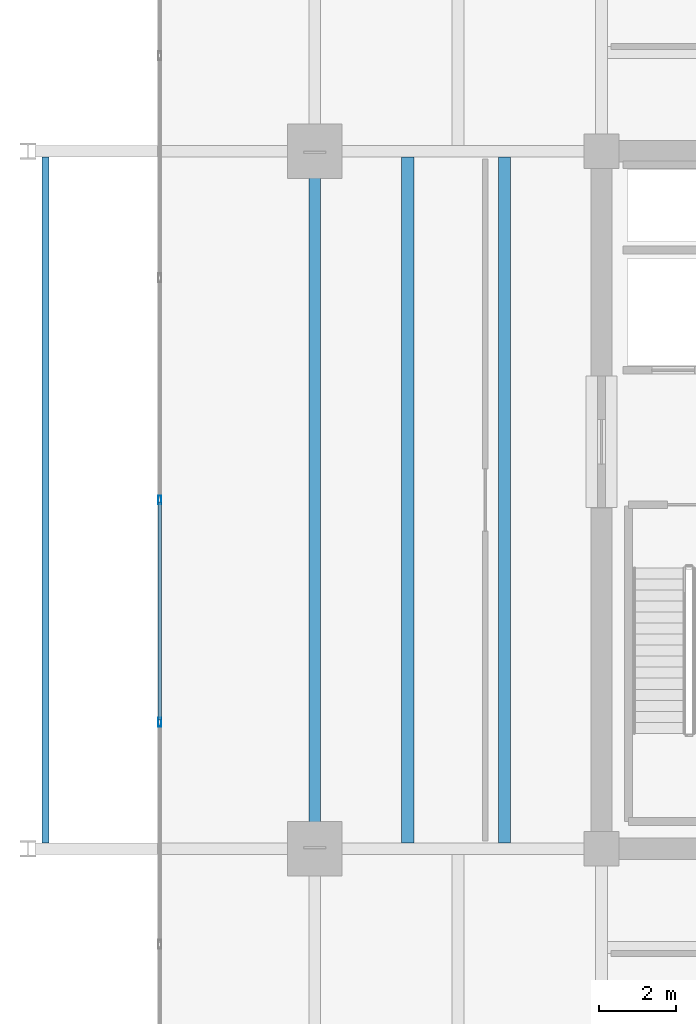
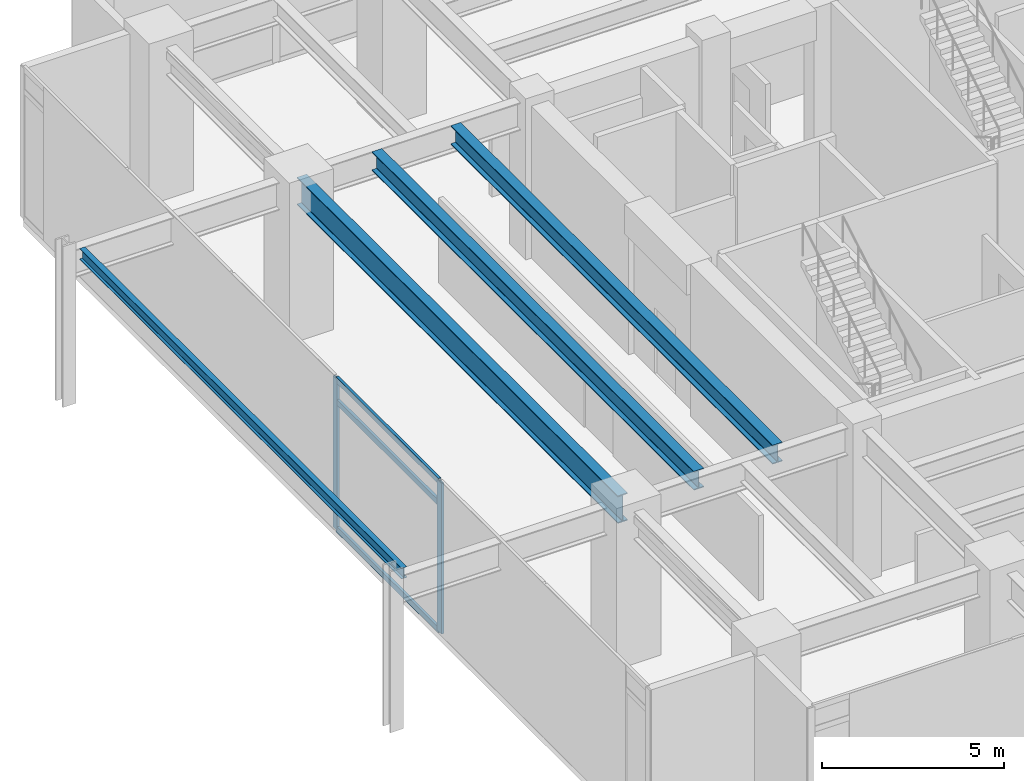
# One storey, part 6 of 24: 5 members, 4 beams, 1 element without a shape of its own.
"""IFC4 building model written with IfcOpenShell, lengths in metres."""

from ifc_helpers import new_model, si_unit, direction, frame, origin, origin_2d, place, context, subcontext, project, spatial, hollow_rectangle, i_section, extrude, material, material_profile, profile_set, type_object, element, aggregate, save


model = new_model("IFC4")

# Units and contexts
model_context = context("Model", 3, precision=1e-05, world=origin(), true_north=direction((0.0, 1.0)))
body_context = subcontext(model_context, "Body", "Model", "MODEL_VIEW")
ifc_project = project(units=[si_unit("LENGTHUNIT", "METRE"), si_unit("AREAUNIT", "SQUARE_METRE"), si_unit("VOLUMEUNIT", "CUBIC_METRE"), si_unit("PLANEANGLEUNIT", "RADIAN"), si_unit("MASSUNIT", "GRAM", prefix="KILO")], contexts=[model_context])

# Site, building, storey
site_placement = place(None, origin())
site = spatial("IfcSite", under=ifc_project, at=site_placement, CompositionType="ELEMENT")
building_placement = place(site_placement, origin())
building = spatial("IfcBuilding", under=site, at=building_placement, Name="Kovane Verandah Tower", CompositionType="ELEMENT")
storey_placement = place(building_placement, frame((0.0, 0.0, 194.800048828125)))
storey = spatial("IfcBuildingStorey", under=building, at=storey_placement, Name="L45", CompositionType="ELEMENT", Elevation=194.800048828125)

# Beams
ifc_material_1 = material(Name="Steel S460", Category="steel")
ifc_material_profile_1 = material_profile(ifc_material_1, i_section(OverallWidth=0.311279296875, OverallDepth=0.6357421875, WebThickness=0.018310546875, FlangeThickness=0.031494140625, FilletRadius=0.0166015625, at=origin_2d()), Name="UB610x305x238")
ifc_profile_set_1 = profile_set([ifc_material_profile_1], Name="Steel S460")
beam_type_1 = type_object("IfcBeamType", Name="BM-UB610x238", PredefinedType="BEAM", material=ifc_profile_set_1)
for number, where, z_axis, x_axis, name in (
    (1, (24.0, 18.65185546875, 4.781982421875), (0.0, 1.0, 0.0), (-1.0, 0.0, 0.0), "L45 Secondary Composite Joist J-W1"),
    (2, (26.5, 18.65185546875, 4.781982421875), (0.0, 1.0, 0.0), (-1.0, 0.0, 0.0), "L45 Secondary Composite Joist J-W2"),
):
    element("IfcBeam", number, at=place(storey_placement, frame(where, z_axis=z_axis, x_axis=x_axis)), inside=storey, type_object=beam_type_1, Name=name, PredefinedType="BEAM", context=body_context, shape_type="SweptSolid", body=[
        extrude(i_section(OverallWidth=0.311279296875, OverallDepth=0.6357421875, WebThickness=0.018310546875, FlangeThickness=0.031494140625, FilletRadius=0.0166015625, at=origin_2d()), origin(), (0.0, 0.0, 1.0), 17.6962890625),
    ])
ifc_material_profile_2 = material_profile(ifc_material_1, i_section(OverallWidth=0.3076171875, OverallDepth=0.926513671875, WebThickness=0.01953125, FlangeThickness=0.031982421875, FilletRadius=0.01904296875, at=origin_2d()), Name="UB914x305x289")
ifc_profile_set_2 = profile_set([ifc_material_profile_2], Name="Steel S460")
beam_type_2 = type_object("IfcBeamType", Name="BM-UB914x289", PredefinedType="BEAM", material=ifc_profile_set_2)
beam_1_placement = place(storey_placement, frame((21.60009765625, 18.679931640625, 4.63671875), z_axis=(0.0, 1.0, 0.0), x_axis=(-1.0, 0.0, 0.0)))
element("IfcBeam", 3, at=beam_1_placement, inside=storey, type_object=beam_type_2, Name="L45 Primary Tower Girder G-RW2", PredefinedType="BEAM", context=body_context, shape_type="SweptSolid", body=[
    extrude(i_section(OverallWidth=0.3076171875, OverallDepth=0.926513671875, WebThickness=0.01953125, FlangeThickness=0.031982421875, FilletRadius=0.01904296875, at=origin_2d()), origin(), (0.0, 0.0, 1.0), 17.64013671875),
])

# Curtain wall, members
ifc_material_2 = material(Name="Champagne Anodised Aluminium Frame with Low-E Clear Laminated Glass", Category="aluminium")
curtain_wall_type = type_object("IfcCurtainWallType", Name="CW-SYS-04-WAIST", PredefinedType="NOTDEFINED", material=ifc_material_2)
curtain_wall_placement = place(storey_placement, origin())
curtain_wall = element("IfcCurtainWall", 4, at=curtain_wall_placement, inside=storey, type_object=curtain_wall_type, Name="L45 W Unitised Curtain Wall", PredefinedType="NOTDEFINED")
ifc_material_3 = material(Name="Champagne Anodised Aluminium 6063-T6", Category="aluminium")
ifc_material_profile_3 = material_profile(ifc_material_3, hollow_rectangle(XDim=0.0849609375, YDim=0.22998046875, WallThickness=0.00390625, at=origin_2d()), Name="AL85x230x4")
ifc_profile_set_3 = profile_set([ifc_material_profile_3], Name="Champagne Anodised Aluminium 6063-T6")
member_type_1 = type_object("IfcMemberType", Name="CW-MUL-85x230", PredefinedType="MULLION", material=ifc_profile_set_3)
member_1_placement = place(storey_placement, frame((17.60009765625, 27.5, 0.02001953125), z_axis=(0.0, 0.0, 1.0), x_axis=(-1.0, 0.0, 0.0)))
member_1 = element("IfcMember", 5, at=member_1_placement, type_object=member_type_1, Name="L45 W Unitised Curtain Wall Mullion 4", PredefinedType="MULLION", context=body_context, shape_type="SweptSolid", body=[
    extrude(hollow_rectangle(XDim=0.0849609375, YDim=0.22998046875, WallThickness=0.00390625, at=origin_2d()), origin(), (0.0, 0.0, 1.0), 5.059814453125),
])
member_2_placement = place(storey_placement, frame((17.60009765625, 21.7666015625, 0.02001953125), z_axis=(0.0, 0.0, 1.0), x_axis=(-1.0, 0.0, 0.0)))
member_2 = element("IfcMember", 6, at=member_2_placement, type_object=member_type_1, Name="L45 W Unitised Curtain Wall Mullion 5", PredefinedType="MULLION", context=body_context, shape_type="SweptSolid", body=[
    extrude(hollow_rectangle(XDim=0.0849609375, YDim=0.22998046875, WallThickness=0.00390625, at=origin_2d()), origin(), (0.0, 0.0, 1.0), 5.059814453125),
])
ifc_material_profile_4 = material_profile(ifc_material_3, hollow_rectangle(XDim=0.0849609375, YDim=0.18994140625, WallThickness=0.00390625, at=origin_2d()), Name="AL85x190x4")
ifc_profile_set_4 = profile_set([ifc_material_profile_4], Name="Champagne Anodised Aluminium 6063-T6")
member_type_2 = type_object("IfcMemberType", Name="CW-TRN-85x190", PredefinedType="USERDEFINED", material=ifc_profile_set_4)
member_3_placement = place(storey_placement, frame((17.60009765625, 27.449951171875, 0.050048828125), z_axis=(0.0, -1.0, 0.0), x_axis=(1.0, 0.0, 0.0)))
member_3 = element("IfcMember", 7, at=member_3_placement, type_object=member_type_2, Name="L45 W Unitised Curtain Wall Transom TB Bay 4", ObjectType="TRANSOM", PredefinedType="USERDEFINED", context=body_context, shape_type="SweptSolid", body=[
    extrude(hollow_rectangle(XDim=0.0849609375, YDim=0.18994140625, WallThickness=0.00390625, at=origin_2d()), origin(), (0.0, 0.0, 1.0), 5.63330078125),
])
member_4_placement = place(storey_placement, frame((17.60009765625, 27.449951171875, 4.320068359375), z_axis=(0.0, -1.0, 0.0), x_axis=(1.0, 0.0, 0.0)))
member_4 = element("IfcMember", 8, at=member_4_placement, type_object=member_type_2, Name="L45 W Unitised Curtain Wall Transom TM Bay 4", ObjectType="TRANSOM", PredefinedType="USERDEFINED", context=body_context, shape_type="SweptSolid", body=[
    extrude(hollow_rectangle(XDim=0.0849609375, YDim=0.18994140625, WallThickness=0.00390625, at=origin_2d()), origin(), (0.0, 0.0, 1.0), 5.63330078125),
])
member_5_placement = place(storey_placement, frame((17.60009765625, 27.449951171875, 5.050048828125), z_axis=(0.0, -1.0, 0.0), x_axis=(1.0, 0.0, 0.0)))
member_5 = element("IfcMember", 9, at=member_5_placement, type_object=member_type_2, Name="L45 W Unitised Curtain Wall Transom TT Bay 4", ObjectType="TRANSOM", PredefinedType="USERDEFINED", context=body_context, shape_type="SweptSolid", body=[
    extrude(hollow_rectangle(XDim=0.0849609375, YDim=0.18994140625, WallThickness=0.00390625, at=origin_2d()), origin(), (0.0, 0.0, 1.0), 5.63330078125),
])
aggregate(curtain_wall, [member_1, member_2, member_3, member_4, member_5])

# Beam
ifc_material_4 = material(Name="Steel S355", Category="steel")
ifc_material_profile_5 = material_profile(ifc_material_4, i_section(OverallWidth=0.173095703125, OverallDepth=0.36328125, WebThickness=0.009033203125, FlangeThickness=0.015625, FilletRadius=0.01025390625, at=origin_2d()), Name="UB356x171x67")
ifc_profile_set_5 = profile_set([ifc_material_profile_5], Name="Steel S355")
beam_type_3 = type_object("IfcBeamType", Name="SPD-UB356x67", PredefinedType="USERDEFINED", material=ifc_profile_set_5)
beam_2_placement = place(storey_placement, frame((14.64990234375, 18.65185546875, 4.918212890625), z_axis=(0.0, 1.0, 0.0), x_axis=(-1.0, 0.0, 0.0)))
element("IfcBeam", 10, at=beam_2_placement, inside=storey, type_object=beam_type_3, Name="L45 West Planter Edge Spandrel", ObjectType="SPANDREL", PredefinedType="USERDEFINED", context=body_context, shape_type="SweptSolid", body=[
    extrude(i_section(OverallWidth=0.173095703125, OverallDepth=0.36328125, WebThickness=0.009033203125, FlangeThickness=0.015625, FilletRadius=0.01025390625, at=origin_2d()), origin(), (0.0, 0.0, 1.0), 17.6962890625),
])

save(model, "model.ifc")
